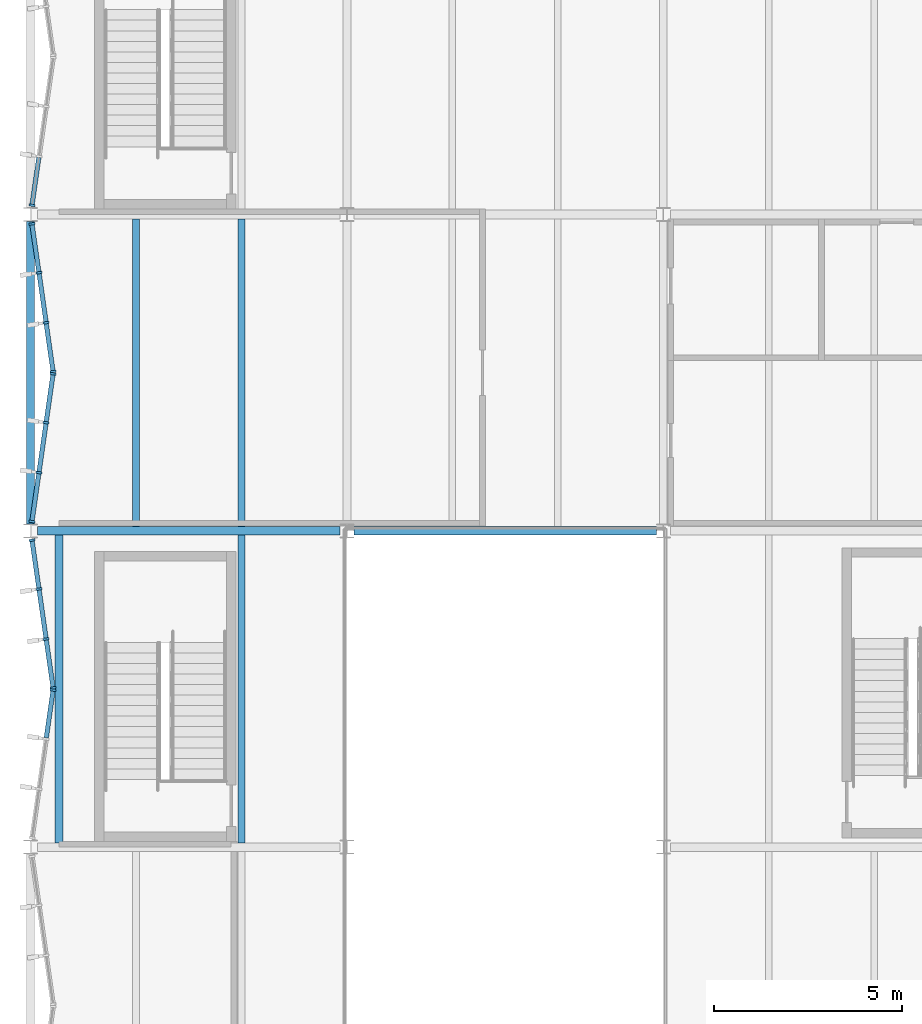
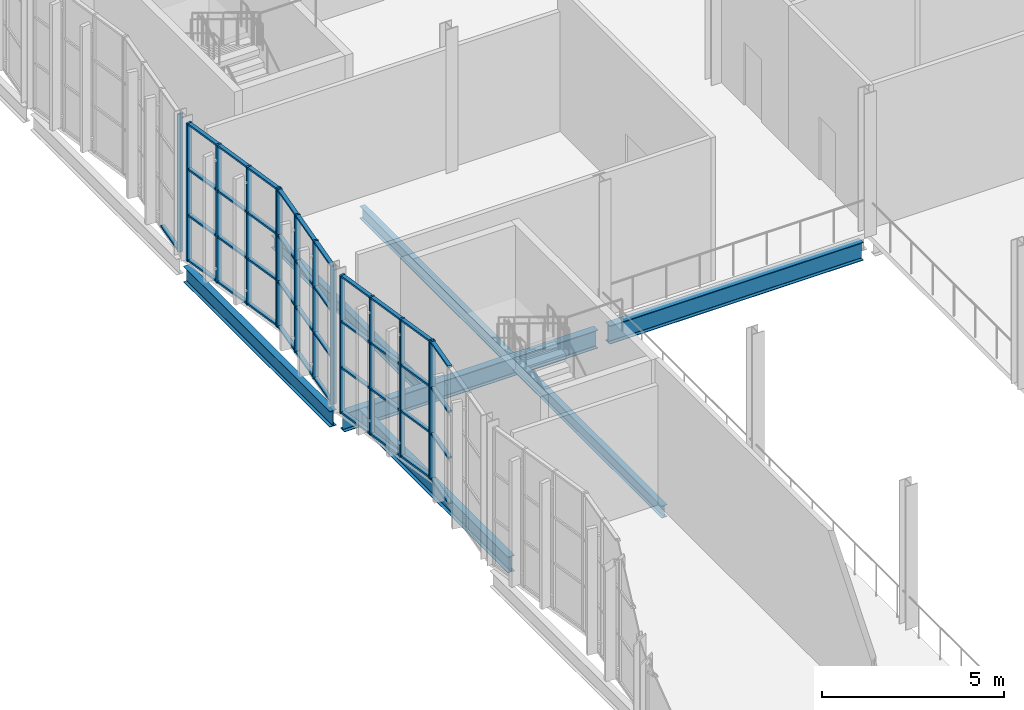
# One storey, part 35 of 127: 55 members, 7 beams, 5 elements without a shape of their own.
"""IFC4 building model written with IfcOpenShell, lengths in metres."""

import ifcopenshell
import ifcopenshell.guid

model = None  # the IFC model being written
_history = None  # IfcOwnerHistory: only IFC2X3 demands one
_inside = {}  # id of a spatial element -> (the spatial element, [elements in it])
_under = {}  # id of a project, library or spatial element -> (it, [spatial elements below it])
_declared = {}  # id of a project -> (the project, [libraries it declares])
_typed = {}  # id of a type object -> (the type object, [elements of that type])
_made_of = {}  # id of a material, layer set ... -> (it, [elements and type objects made of it])


def new_model(schema):
    """Start an empty IFC model of exactly this schema.

    Asked for "IFC4X3", IfcOpenShell would pick the latest addendum, in which some entities
    have other attributes; the version numbers below select the first issue.
    IFC2X3 requires an IfcOwnerHistory on every rooted entity: one is made here for all.
    """
    global model, _history
    if schema == "IFC4X3":
        model = ifcopenshell.file(schema_version=(4, 3, 0, 0))
    else:
        model = ifcopenshell.file(schema=schema)
    _inside.clear()
    _under.clear()
    _declared.clear()
    _typed.clear()
    _made_of.clear()
    _history = None
    if model.schema == "IFC2X3":
        org = make("IfcOrganization", Name="unknown")
        user = make(
            "IfcPersonAndOrganization",
            ThePerson=make("IfcPerson", FamilyName="unknown"),
            TheOrganization=org,
        )
        app = make(
            "IfcApplication",
            ApplicationDeveloper=org,
            Version="unknown",
            ApplicationFullName="unknown",
            ApplicationIdentifier="unknown",
        )
        _history = make(
            "IfcOwnerHistory",
            OwningUser=user,
            OwningApplication=app,
            ChangeAction="ADDED",
            CreationDate=0,
        )
    return model


def make(cls, **values):
    """One entity of the class cls with the attributes given. An attribute that is None is left unset."""
    return model.create_entity(
        cls, **{name: value for name, value in values.items() if value is not None}
    )


def rooted(cls, **values):
    """An entity with a GlobalId (a new one), such as an element, a storey or a relation."""
    return make(cls, GlobalId=ifcopenshell.guid.new(), OwnerHistory=_history, **values)


def si_unit(unit_type, name, prefix=None):
    """IfcSIUnit, for example si_unit("LENGTHUNIT", "METRE", prefix="MILLI")."""
    return make("IfcSIUnit", UnitType=unit_type, Prefix=prefix, Name=name)


def assignment(units):
    """IfcUnitAssignment: the units of a project."""
    return None if units is None else make("IfcUnitAssignment", Units=units)


def point(xyz):
    """IfcCartesianPoint."""
    return None if xyz is None else make("IfcCartesianPoint", Coordinates=xyz)


def direction(xyz):
    """IfcDirection."""
    return None if xyz is None else make("IfcDirection", DirectionRatios=xyz)


def frame(location, z_axis=None, x_axis=None):
    """IfcAxis2Placement3D, a coordinate frame: its origin and axes. An axis left out is left unset."""
    return make(
        "IfcAxis2Placement3D",
        Location=point(location),
        Axis=direction(z_axis),
        RefDirection=direction(x_axis),
    )


def frame_2d(location, x_axis=None):
    """IfcAxis2Placement2D, a coordinate frame in the plane: its origin and x axis."""
    return make(
        "IfcAxis2Placement2D", Location=point(location), RefDirection=direction(x_axis)
    )


def origin():
    """The frame at (0, 0, 0) with its axes left unset."""
    return frame((0.0, 0.0, 0.0))


def origin_2d():
    """The frame at (0, 0) in the plane with its x axis left unset."""
    return frame_2d((0.0, 0.0))


def place(relative_to, where):
    """IfcLocalPlacement: puts the frame where relative to a parent placement (None: the world)."""
    return make(
        "IfcLocalPlacement", PlacementRelTo=relative_to, RelativePlacement=where
    )


def context(
    kind, dimensions, precision=None, world=None, true_north=None, identifier=None
):
    """IfcGeometricRepresentationContext, for example the 3D "Model" context."""
    return make(
        "IfcGeometricRepresentationContext",
        ContextIdentifier=identifier,
        ContextType=kind,
        CoordinateSpaceDimension=dimensions,
        Precision=precision,
        WorldCoordinateSystem=world,
        TrueNorth=true_north,
    )


def subcontext(parent, identifier, kind, view, scale=None):
    """IfcGeometricRepresentationSubContext, for example "Body" below "Model"."""
    return make(
        "IfcGeometricRepresentationSubContext",
        ContextIdentifier=identifier,
        ContextType=kind,
        ParentContext=parent,
        TargetScale=scale,
        TargetView=view,
    )


def project(units=None, contexts=None):
    """IfcProject with its units and contexts."""
    return rooted(
        "IfcProject",
        Name="project",
        RepresentationContexts=contexts,
        UnitsInContext=assignment(units),
    )


def spatial(cls, under=None, at=None, **own):
    """A site, building, storey or space (cls), placed at a placement, below another one or the project."""
    s = rooted(cls, ObjectPlacement=at, **own)
    if under is not None:
        _under.setdefault(under.id(), (under, []))[1].append(s)
    return s


def profile(cls, at=None, kind="AREA", **sizes):
    """A parametric profile (cls). Its sizes go by their IFC names, for example OverallWidth=200.0."""
    return make(cls, ProfileType=kind, Position=at, **sizes)


def rectangle(**sizes):
    """IfcRectangleProfileDef."""
    return profile("IfcRectangleProfileDef", **sizes)


def i_section(**sizes):
    """IfcIShapeProfileDef."""
    return profile("IfcIShapeProfileDef", **sizes)


def extrude(swept, where, along, depth):
    """IfcExtrudedAreaSolid: the profile swept, set in the frame where, extruded along a direction by depth."""
    return make(
        "IfcExtrudedAreaSolid",
        SweptArea=swept,
        Position=where,
        ExtrudedDirection=direction(along),
        Depth=depth,
    )


def shape(context_of_items, identifier, shape_type, items):
    """IfcShapeRepresentation: the items that make up one representation, for example the "Body"."""
    return make(
        "IfcShapeRepresentation",
        ContextOfItems=context_of_items,
        RepresentationIdentifier=identifier,
        RepresentationType=shape_type,
        Items=items,
    )


def material(Name=None, Category=None):
    """IfcMaterial."""
    return make("IfcMaterial", Name=Name, Category=Category)


def material_profile(
    of_material, cross_section, Name=None, Category=None, Priority=None
):
    """IfcMaterialProfile: a cross section and its material."""
    return make(
        "IfcMaterialProfile",
        Name=Name,
        Material=of_material,
        Profile=cross_section,
        Priority=Priority,
        Category=Category,
    )


def profile_set(profiles, Name=None, composite=None):
    """IfcMaterialProfileSet."""
    return make(
        "IfcMaterialProfileSet",
        Name=Name,
        MaterialProfiles=profiles,
        CompositeProfile=composite,
    )


def made_of(thing, what):
    """Note that an element or type object is made of a material, layer set ...; save() writes the relation."""
    if what is not None:
        _made_of.setdefault(what.id(), (what, []))[1].append(thing)
    return thing


def type_object(cls, material=None, **own):
    """A type object (cls), such as IfcWallType, which elements share."""
    return made_of(rooted(cls, **own), material)


def element(
    cls,
    number,
    at=None,
    inside=None,
    cuts=None,
    type_object=None,
    material=None,
    context=None,
    identifier="Body",
    shape_type=None,
    held_by="IfcProductDefinitionShape",
    body=None,
    shapes=None,
    **own,
):
    """One element of the class cls, such as IfcWall. Its Tag is "e" and its number.

    at: its placement. inside: the storey or other place that contains it. cuts: it is an
    opening in that element (IfcRelVoidsElement). A single representation is given by context,
    identifier, shape_type and body (its items); several are given by shapes. held_by: the class
    of the entity that holds the representations. save() writes the other relations.
    """
    e = rooted(cls, Tag="e%d" % number, ObjectPlacement=at, **own)
    if body is not None:
        shapes = [shape(context, identifier, shape_type, body)]
    if shapes is not None:
        e.Representation = make(held_by, Representations=shapes)
    if inside is not None:
        _inside.setdefault(inside.id(), (inside, []))[1].append(e)
    if cuts is not None:
        rooted(
            "IfcRelVoidsElement", RelatingBuildingElement=cuts, RelatedOpeningElement=e
        )
    if type_object is not None:
        _typed.setdefault(type_object.id(), (type_object, []))[1].append(e)
    return made_of(e, material)


def aggregate(whole, parts):
    """IfcRelAggregates: a whole, such as a stair, and the parts it consists of."""
    return rooted("IfcRelAggregates", RelatingObject=whole, RelatedObjects=parts)


def save(model, path):
    """Write the relations noted so far, then the file.

    IfcRelAggregates (storeys below a building ...), IfcRelContainedInSpatialStructure (elements
    in a storey), IfcRelDefinesByType, IfcRelAssociatesMaterial and IfcRelDeclares: one each for
    every whole, place, type object, material and project.
    """
    for whole, parts in _under.values():
        aggregate(whole, parts)
    for where, things in _inside.values():
        rooted(
            "IfcRelContainedInSpatialStructure",
            RelatedElements=things,
            RelatingStructure=where,
        )
    for kind, things in _typed.values():
        rooted("IfcRelDefinesByType", RelatedObjects=things, RelatingType=kind)
    for what, things in _made_of.values():
        rooted("IfcRelAssociatesMaterial", RelatedObjects=things, RelatingMaterial=what)
    for by, libraries in _declared.values():
        rooted("IfcRelDeclares", RelatingContext=by, RelatedDefinitions=libraries)
    model.write(path)


model = new_model("IFC4")

# Units and contexts
model_context = context("Model", 3, precision=1e-05, world=origin(), true_north=direction((0.0, 1.0)))
body_context = subcontext(model_context, "Body", "Model", "MODEL_VIEW")
ifc_project = project(units=[si_unit("LENGTHUNIT", "METRE"), si_unit("AREAUNIT", "SQUARE_METRE"), si_unit("VOLUMEUNIT", "CUBIC_METRE"), si_unit("PLANEANGLEUNIT", "RADIAN"), si_unit("MASSUNIT", "GRAM", prefix="KILO")], contexts=[model_context])

# Site, building, storey
site_placement = place(None, origin())
site = spatial("IfcSite", under=ifc_project, at=site_placement, CompositionType="ELEMENT")
building_placement = place(site_placement, origin())
building = spatial("IfcBuilding", under=site, at=building_placement, Name="Ljudholm Concert House", CompositionType="ELEMENT")
storey_placement = place(building_placement, frame((0.0, 0.0, 5.39990234375)))
storey = spatial("IfcBuildingStorey", under=building, at=storey_placement, Name="L01", CompositionType="ELEMENT", Elevation=5.39990234375)

# Curtain wall, member
ifc_material_1 = material(Name="Aluminium curtain wall with impact-rated laminated glass", Category="aluminium")
curtain_wall_type = type_object("IfcCurtainWallType", Name="CURTAIN WALL 1400", PredefinedType="NOTDEFINED", material=ifc_material_1)
curtain_wall_1_placement = place(storey_placement, origin())
curtain_wall_1 = element("IfcCurtainWall", 1, at=curtain_wall_1_placement, inside=storey, type_object=curtain_wall_type, Name="Facade curtain wall", PredefinedType="NOTDEFINED")
ifc_material_2 = material(Name="Aluminium extrusion", Category="aluminium")
ifc_material_profile_1 = material_profile(ifc_material_2, rectangle(XDim=0.159912109375, YDim=0.06005859375, at=origin_2d()), Name="MULLION 60x160")
ifc_profile_set_1 = profile_set([ifc_material_profile_1], Name="Aluminium extrusion")
member_type_1 = type_object("IfcMemberType", Name="MULLION 60x160", PredefinedType="MULLION", material=ifc_profile_set_1)
member_1_placement = place(storey_placement, frame((4.595703125, 100.5703125, 0.0), z_axis=(0.0, 0.0, 1.0), x_axis=(-0.989949493647, 0.141421356338, 0.0)))
member_1 = element("IfcMember", 2, at=member_1_placement, type_object=member_type_1, Name="Mullion", PredefinedType="MULLION", context=body_context, shape_type="SweptSolid", body=[
    extrude(rectangle(XDim=0.159912109375, YDim=0.06005859375, at=origin_2d()), origin(), (0.0, 0.0, 1.0), 4.6201171875),
])

# Curtain wall, members
curtain_wall_2_placement = place(storey_placement, origin())
curtain_wall_2 = element("IfcCurtainWall", 3, at=curtain_wall_2_placement, inside=storey, type_object=curtain_wall_type, Name="Facade curtain wall", PredefinedType="NOTDEFINED")
member_2_placement = place(storey_placement, frame((4.595703125, 100.629638671875, 0.0), z_axis=(0.0, 0.0, 1.0), x_axis=(-0.989949493647, -0.141421356338, 0.0)))
member_2 = element("IfcMember", 4, at=member_2_placement, type_object=member_type_1, Name="Mullion", PredefinedType="MULLION", context=body_context, shape_type="SweptSolid", body=[
    extrude(rectangle(XDim=0.159912109375, YDim=0.06005859375, at=origin_2d()), origin(), (0.0, 0.0, 1.0), 4.6201171875),
])
member_3_placement = place(storey_placement, frame((4.410400390625, 101.927490234375, 0.0), z_axis=(0.0, 0.0, 1.0), x_axis=(-0.989949493647, -0.141421356338, 0.0)))
member_3 = element("IfcMember", 5, at=member_3_placement, type_object=member_type_1, Name="Mullion", PredefinedType="MULLION", context=body_context, shape_type="SweptSolid", body=[
    extrude(rectangle(XDim=0.159912109375, YDim=0.06005859375, at=origin_2d()), origin(), (0.0, 0.0, 1.0), 4.6201171875),
])
member_4_placement = place(storey_placement, frame((4.220703125, 103.2548828125, 0.0), z_axis=(0.0, 0.0, 1.0), x_axis=(-0.989949493647, -0.141421356338, 0.0)))
member_4 = element("IfcMember", 6, at=member_4_placement, type_object=member_type_1, Name="Mullion", PredefinedType="MULLION", context=body_context, shape_type="SweptSolid", body=[
    extrude(rectangle(XDim=0.159912109375, YDim=0.06005859375, at=origin_2d()), origin(), (0.0, 0.0, 1.0), 4.6201171875),
])
member_5_placement = place(storey_placement, frame((4.035400390625, 104.552490234375, 0.0), z_axis=(0.0, 0.0, 1.0), x_axis=(-0.989949493647, -0.141421356338, 0.0)))
member_5 = element("IfcMember", 7, at=member_5_placement, type_object=member_type_1, Name="Mullion", PredefinedType="MULLION", context=body_context, shape_type="SweptSolid", body=[
    extrude(rectangle(XDim=0.159912109375, YDim=0.06005859375, at=origin_2d()), origin(), (0.0, 0.0, 1.0), 4.6201171875),
])

curtain_wall_3_placement = place(storey_placement, origin())
curtain_wall_3 = element("IfcCurtainWall", 8, at=curtain_wall_3_placement, inside=storey, type_object=curtain_wall_type, Name="Facade curtain wall", PredefinedType="NOTDEFINED")
member_6_placement = place(storey_placement, frame((4.035400390625, 105.047607421875, 0.0), z_axis=(0.0, 0.0, 1.0), x_axis=(-0.989949493647, 0.141421356338, 0.0)))
member_6 = element("IfcMember", 9, at=member_6_placement, type_object=member_type_1, Name="Mullion", PredefinedType="MULLION", context=body_context, shape_type="SweptSolid", body=[
    extrude(rectangle(XDim=0.159912109375, YDim=0.06005859375, at=origin_2d()), origin(), (0.0, 0.0, 1.0), 4.6201171875),
])
member_7_placement = place(storey_placement, frame((4.220703125, 106.34521484375, 0.0), z_axis=(0.0, 0.0, 1.0), x_axis=(-0.989949493647, 0.141421356338, 0.0)))
member_7 = element("IfcMember", 10, at=member_7_placement, type_object=member_type_1, Name="Mullion", PredefinedType="MULLION", context=body_context, shape_type="SweptSolid", body=[
    extrude(rectangle(XDim=0.159912109375, YDim=0.06005859375, at=origin_2d()), origin(), (0.0, 0.0, 1.0), 4.6201171875),
])
member_8_placement = place(storey_placement, frame((4.410400390625, 107.672607421875, 0.0), z_axis=(0.0, 0.0, 1.0), x_axis=(-0.989949493647, 0.141421356338, 0.0)))
member_8 = element("IfcMember", 11, at=member_8_placement, type_object=member_type_1, Name="Mullion", PredefinedType="MULLION", context=body_context, shape_type="SweptSolid", body=[
    extrude(rectangle(XDim=0.159912109375, YDim=0.06005859375, at=origin_2d()), origin(), (0.0, 0.0, 1.0), 4.6201171875),
])
member_9_placement = place(storey_placement, frame((4.595703125, 108.97021484375, 0.0), z_axis=(0.0, 0.0, 1.0), x_axis=(-0.989949493647, 0.141421356338, 0.0)))
member_9 = element("IfcMember", 12, at=member_9_placement, type_object=member_type_1, Name="Mullion", PredefinedType="MULLION", context=body_context, shape_type="SweptSolid", body=[
    extrude(rectangle(XDim=0.159912109375, YDim=0.06005859375, at=origin_2d()), origin(), (0.0, 0.0, 1.0), 4.6201171875),
])

curtain_wall_4_placement = place(storey_placement, origin())
curtain_wall_4 = element("IfcCurtainWall", 13, at=curtain_wall_4_placement, inside=storey, type_object=curtain_wall_type, Name="Facade curtain wall", PredefinedType="NOTDEFINED")
member_10_placement = place(storey_placement, frame((4.595703125, 109.02978515625, 0.0), z_axis=(0.0, 0.0, 1.0), x_axis=(-0.989949493647, -0.141421356338, 0.0)))
member_10 = element("IfcMember", 14, at=member_10_placement, type_object=member_type_1, Name="Mullion", PredefinedType="MULLION", context=body_context, shape_type="SweptSolid", body=[
    extrude(rectangle(XDim=0.159912109375, YDim=0.06005859375, at=origin_2d()), origin(), (0.0, 0.0, 1.0), 4.6201171875),
])
member_11_placement = place(storey_placement, frame((4.410400390625, 110.327392578125, 0.0), z_axis=(0.0, 0.0, 1.0), x_axis=(-0.989949493647, -0.141421356338, 0.0)))
member_11 = element("IfcMember", 15, at=member_11_placement, type_object=member_type_1, Name="Mullion", PredefinedType="MULLION", context=body_context, shape_type="SweptSolid", body=[
    extrude(rectangle(XDim=0.159912109375, YDim=0.06005859375, at=origin_2d()), origin(), (0.0, 0.0, 1.0), 4.6201171875),
])
member_12_placement = place(storey_placement, frame((4.220703125, 111.65478515625, 0.0), z_axis=(0.0, 0.0, 1.0), x_axis=(-0.989949493647, -0.141421356338, 0.0)))
member_12 = element("IfcMember", 16, at=member_12_placement, type_object=member_type_1, Name="Mullion", PredefinedType="MULLION", context=body_context, shape_type="SweptSolid", body=[
    extrude(rectangle(XDim=0.159912109375, YDim=0.06005859375, at=origin_2d()), origin(), (0.0, 0.0, 1.0), 4.6201171875),
])
member_13_placement = place(storey_placement, frame((4.035400390625, 112.952392578125, 0.0), z_axis=(0.0, 0.0, 1.0), x_axis=(-0.989949493647, -0.141421356338, 0.0)))
member_13 = element("IfcMember", 17, at=member_13_placement, type_object=member_type_1, Name="Mullion", PredefinedType="MULLION", context=body_context, shape_type="SweptSolid", body=[
    extrude(rectangle(XDim=0.159912109375, YDim=0.06005859375, at=origin_2d()), origin(), (0.0, 0.0, 1.0), 4.6201171875),
])

# Curtain wall, member
curtain_wall_5_placement = place(storey_placement, origin())
curtain_wall_5 = element("IfcCurtainWall", 18, at=curtain_wall_5_placement, inside=storey, type_object=curtain_wall_type, Name="Facade curtain wall", PredefinedType="NOTDEFINED")
member_14_placement = place(storey_placement, frame((4.035400390625, 113.447509765625, 0.0), z_axis=(0.0, 0.0, 1.0), x_axis=(-0.989949493647, 0.141421356338, 0.0)))
member_14 = element("IfcMember", 19, at=member_14_placement, type_object=member_type_1, Name="Mullion", PredefinedType="MULLION", context=body_context, shape_type="SweptSolid", body=[
    extrude(rectangle(XDim=0.159912109375, YDim=0.06005859375, at=origin_2d()), origin(), (0.0, 0.0, 1.0), 4.6201171875),
])

# Beams
ifc_material_3 = material(Name="Steel ASTM A992", Category="steel")
ifc_material_profile_2 = material_profile(ifc_material_3, i_section(OverallWidth=0.177734375, OverallDepth=0.406494140625, WebThickness=0.0078125, FlangeThickness=0.012939453125, FilletRadius=0.01025390625, at=origin_2d()), Name="W16X40")
ifc_profile_set_2 = profile_set([ifc_material_profile_2], Name="Steel ASTM A992")
beam_type_1 = type_object("IfcBeamType", Name="STEEL BEAM W16X40", PredefinedType="BEAM", material=ifc_profile_set_2)
for number, where, z_axis, x_axis, name in (
    (20, (6.800048828125, 104.91455078125, -0.383056640625), (0.0, 1.0, 0.0), (-1.0, 0.0, 0.0), "Secondary beam"),
    (21, (9.60009765625, 96.5146484375, -0.383056640625), (0.0, 1.0, 0.0), (-1.0, 0.0, 0.0), "Secondary beam"),
    (22, (9.60009765625, 104.91455078125, -0.383056640625), (0.0, 1.0, 0.0), (-1.0, 0.0, 0.0), "Secondary beam"),
):
    element("IfcBeam", number, at=place(storey_placement, frame(where, z_axis=z_axis, x_axis=x_axis)), inside=storey, type_object=beam_type_1, Name=name, PredefinedType="BEAM", context=body_context, shape_type="SweptSolid", body=[
        extrude(i_section(OverallWidth=0.177734375, OverallDepth=0.406494140625, WebThickness=0.0078125, FlangeThickness=0.012939453125, FilletRadius=0.01025390625, at=origin_2d()), origin(), (0.0, 0.0, 1.0), 8.1708984375),
    ])
ifc_material_4 = material(Name="Steel ASTM A992", Category="steel")
ifc_material_profile_3 = material_profile(ifc_material_4, i_section(OverallWidth=0.209228515625, OverallDepth=0.533447265625, WebThickness=0.01025390625, FlangeThickness=0.015625, FilletRadius=0.012939453125, at=origin_2d()), Name="W21X62")
ifc_profile_set_3 = profile_set([ifc_material_profile_3], Name="Steel ASTM A992")
beam_type_2 = type_object("IfcBeamType", Name="STEEL BEAM W21X62", PredefinedType="BEAM", material=ifc_profile_set_3)
beam_1_placement = place(storey_placement, frame((4.75, 96.5146484375, -0.446533203125), z_axis=(0.0, 1.0, 0.0), x_axis=(-1.0, 0.0, 0.0)))
element("IfcBeam", 23, at=beam_1_placement, inside=storey, type_object=beam_type_2, Name="Floor edge beam", PredefinedType="BEAM", context=body_context, shape_type="SweptSolid", body=[
    extrude(i_section(OverallWidth=0.209228515625, OverallDepth=0.533447265625, WebThickness=0.01025390625, FlangeThickness=0.015625, FilletRadius=0.012939453125, at=origin_2d()), origin(), (0.0, 0.0, 1.0), 8.1708984375),
])
beam_2_placement = place(storey_placement, frame((4.0, 104.986572265625, -0.446533203125), z_axis=(0.0, 1.0, 0.0), x_axis=(-1.0, 0.0, 0.0)))
element("IfcBeam", 24, at=beam_2_placement, inside=storey, type_object=beam_type_2, Name="Floor edge beam", PredefinedType="BEAM", context=body_context, shape_type="SweptSolid", body=[
    extrude(i_section(OverallWidth=0.209228515625, OverallDepth=0.533447265625, WebThickness=0.01025390625, FlangeThickness=0.015625, FilletRadius=0.012939453125, at=origin_2d()), origin(), (0.0, 0.0, 1.0), 8.02685546875),
])
ifc_material_5 = material(Name="Steel ASTM A992", Category="steel")
ifc_material_profile_4 = material_profile(ifc_material_5, i_section(OverallWidth=0.22900390625, OverallDepth=0.612060546875, WebThickness=0.011962890625, FlangeThickness=0.01953125, FilletRadius=0.0126953125, at=origin_2d()), Name="W24X84")
ifc_profile_set_4 = profile_set([ifc_material_profile_4], Name="Steel ASTM A992")
beam_type_3 = type_object("IfcBeamType", Name="STEEL BEAM W24X84", PredefinedType="BEAM", material=ifc_profile_set_4)
for number, where, z_axis, x_axis, name in (
    (25, (4.186767578125, 104.800048828125, -0.486083984375), (1.0, 0.0, 0.0), (0.0, 1.0, 0.0), "Floor girder"),
    (26, (12.586669921875, 104.800048828125, -0.486083984375), (1.0, 0.0, 0.0), (0.0, 1.0, 0.0), "Floor girder"),
):
    element("IfcBeam", number, at=place(storey_placement, frame(where, z_axis=z_axis, x_axis=x_axis)), inside=storey, type_object=beam_type_3, Name=name, PredefinedType="BEAM", context=body_context, shape_type="SweptSolid", body=[
        extrude(i_section(OverallWidth=0.22900390625, OverallDepth=0.612060546875, WebThickness=0.011962890625, FlangeThickness=0.01953125, FilletRadius=0.0126953125, at=origin_2d()), origin(), (0.0, 0.0, 1.0), 8.026611328125),
    ])

# Member
ifc_material_6 = material(Name="Aluminium extrusion", Category="aluminium")
ifc_material_profile_5 = material_profile(ifc_material_6, rectangle(XDim=0.1201171875, YDim=0.06005859375, at=origin_2d()), Name="TRANSOM 60x120")
ifc_profile_set_5 = profile_set([ifc_material_profile_5], Name="Aluminium extrusion")
member_type_2 = type_object("IfcMemberType", Name="TRANSOM 60x120", PredefinedType="USERDEFINED", material=ifc_profile_set_5)
member_15_placement = place(storey_placement, frame((4.41455078125, 99.30224609375, 0.030029296875), z_axis=(0.141503330095, 0.989937779647, 0.0), x_axis=(-0.989937779647, 0.141503330095, 0.0)))
member_15 = element("IfcMember", 27, at=member_15_placement, type_object=member_type_2, Name="Transom", ObjectType="TRANSOM", PredefinedType="USERDEFINED", context=body_context, shape_type="SweptSolid", body=[
    extrude(rectangle(XDim=0.1201171875, YDim=0.06005859375, at=origin_2d()), origin(), (0.0, 0.0, 1.0), 1.2509765625),
])

member_16_placement = place(storey_placement, frame((4.41455078125, 99.30224609375, 1.5400390625), z_axis=(0.141503330095, 0.989937779647, 0.0), x_axis=(-0.989937779647, 0.141503330095, 0.0)))
member_16 = element("IfcMember", 28, at=member_16_placement, type_object=member_type_2, Name="Transom", ObjectType="TRANSOM", PredefinedType="USERDEFINED", context=body_context, shape_type="SweptSolid", body=[
    extrude(rectangle(XDim=0.1201171875, YDim=0.06005859375, at=origin_2d()), origin(), (0.0, 0.0, 1.0), 1.2509765625),
])

member_17_placement = place(storey_placement, frame((4.41455078125, 99.30224609375, 3.080078125), z_axis=(0.141503330095, 0.989937779647, 0.0), x_axis=(-0.989937779647, 0.141503330095, 0.0)))
member_17 = element("IfcMember", 29, at=member_17_placement, type_object=member_type_2, Name="Transom", ObjectType="TRANSOM", PredefinedType="USERDEFINED", context=body_context, shape_type="SweptSolid", body=[
    extrude(rectangle(XDim=0.1201171875, YDim=0.06005859375, at=origin_2d()), origin(), (0.0, 0.0, 1.0), 1.2509765625),
])

member_18_placement = place(storey_placement, frame((4.41455078125, 99.30224609375, 4.590087890625), z_axis=(0.141503330095, 0.989937779647, 0.0), x_axis=(-0.989937779647, 0.141503330095, 0.0)))
member_18 = element("IfcMember", 30, at=member_18_placement, type_object=member_type_2, Name="Transom", ObjectType="TRANSOM", PredefinedType="USERDEFINED", context=body_context, shape_type="SweptSolid", body=[
    extrude(rectangle(XDim=0.1201171875, YDim=0.06005859375, at=origin_2d()), origin(), (0.0, 0.0, 1.0), 1.2509765625),
])

aggregate(curtain_wall_1, [member_1, member_15, member_16, member_17, member_18])

member_19_placement = place(storey_placement, frame((4.591552734375, 100.659423828125, 0.030029296875), z_axis=(-0.141503330095, 0.989937779647, 0.0), x_axis=(-0.989937779647, -0.141503330095, 0.0)))
member_19 = element("IfcMember", 31, at=member_19_placement, type_object=member_type_2, Name="Transom", ObjectType="TRANSOM", PredefinedType="USERDEFINED", context=body_context, shape_type="SweptSolid", body=[
    extrude(rectangle(XDim=0.1201171875, YDim=0.06005859375, at=origin_2d()), origin(), (0.0, 0.0, 1.0), 1.2509765625),
])

member_20_placement = place(storey_placement, frame((4.591552734375, 100.659423828125, 1.5400390625), z_axis=(-0.141503330095, 0.989937779647, 0.0), x_axis=(-0.989937779647, -0.141503330095, 0.0)))
member_20 = element("IfcMember", 32, at=member_20_placement, type_object=member_type_2, Name="Transom", ObjectType="TRANSOM", PredefinedType="USERDEFINED", context=body_context, shape_type="SweptSolid", body=[
    extrude(rectangle(XDim=0.1201171875, YDim=0.06005859375, at=origin_2d()), origin(), (0.0, 0.0, 1.0), 1.2509765625),
])

member_21_placement = place(storey_placement, frame((4.591552734375, 100.659423828125, 3.080078125), z_axis=(-0.141503330095, 0.989937779647, 0.0), x_axis=(-0.989937779647, -0.141503330095, 0.0)))
member_21 = element("IfcMember", 33, at=member_21_placement, type_object=member_type_2, Name="Transom", ObjectType="TRANSOM", PredefinedType="USERDEFINED", context=body_context, shape_type="SweptSolid", body=[
    extrude(rectangle(XDim=0.1201171875, YDim=0.06005859375, at=origin_2d()), origin(), (0.0, 0.0, 1.0), 1.2509765625),
])

member_22_placement = place(storey_placement, frame((4.591552734375, 100.659423828125, 4.590087890625), z_axis=(-0.141503330095, 0.989937779647, 0.0), x_axis=(-0.989937779647, -0.141503330095, 0.0)))
member_22 = element("IfcMember", 34, at=member_22_placement, type_object=member_type_2, Name="Transom", ObjectType="TRANSOM", PredefinedType="USERDEFINED", context=body_context, shape_type="SweptSolid", body=[
    extrude(rectangle(XDim=0.1201171875, YDim=0.06005859375, at=origin_2d()), origin(), (0.0, 0.0, 1.0), 1.2509765625),
])

member_23_placement = place(storey_placement, frame((4.40625, 101.95703125, 0.030029296875), z_axis=(-0.141421356237, 0.989949493661, 0.0), x_axis=(-0.989949493661, -0.141421356237, 0.0)))
member_23 = element("IfcMember", 35, at=member_23_placement, type_object=member_type_2, Name="Transom", ObjectType="TRANSOM", PredefinedType="USERDEFINED", context=body_context, shape_type="SweptSolid", body=[
    extrude(rectangle(XDim=0.1201171875, YDim=0.06005859375, at=origin_2d()), origin(), (0.0, 0.0, 1.0), 1.281005859375),
])

member_24_placement = place(storey_placement, frame((4.40625, 101.95703125, 1.5400390625), z_axis=(-0.141421356237, 0.989949493661, 0.0), x_axis=(-0.989949493661, -0.141421356237, 0.0)))
member_24 = element("IfcMember", 36, at=member_24_placement, type_object=member_type_2, Name="Transom", ObjectType="TRANSOM", PredefinedType="USERDEFINED", context=body_context, shape_type="SweptSolid", body=[
    extrude(rectangle(XDim=0.1201171875, YDim=0.06005859375, at=origin_2d()), origin(), (0.0, 0.0, 1.0), 1.281005859375),
])

member_25_placement = place(storey_placement, frame((4.40625, 101.95703125, 3.080078125), z_axis=(-0.141421356237, 0.989949493661, 0.0), x_axis=(-0.989949493661, -0.141421356237, 0.0)))
member_25 = element("IfcMember", 37, at=member_25_placement, type_object=member_type_2, Name="Transom", ObjectType="TRANSOM", PredefinedType="USERDEFINED", context=body_context, shape_type="SweptSolid", body=[
    extrude(rectangle(XDim=0.1201171875, YDim=0.06005859375, at=origin_2d()), origin(), (0.0, 0.0, 1.0), 1.281005859375),
])

member_26_placement = place(storey_placement, frame((4.40625, 101.95703125, 4.590087890625), z_axis=(-0.141421356237, 0.989949493661, 0.0), x_axis=(-0.989949493661, -0.141421356237, 0.0)))
member_26 = element("IfcMember", 38, at=member_26_placement, type_object=member_type_2, Name="Transom", ObjectType="TRANSOM", PredefinedType="USERDEFINED", context=body_context, shape_type="SweptSolid", body=[
    extrude(rectangle(XDim=0.1201171875, YDim=0.06005859375, at=origin_2d()), origin(), (0.0, 0.0, 1.0), 1.281005859375),
])

member_27_placement = place(storey_placement, frame((4.216552734375, 103.284423828125, 0.030029296875), z_axis=(-0.141503330095, 0.989937779647, 0.0), x_axis=(-0.989937779647, -0.141503330095, 0.0)))
member_27 = element("IfcMember", 39, at=member_27_placement, type_object=member_type_2, Name="Transom", ObjectType="TRANSOM", PredefinedType="USERDEFINED", context=body_context, shape_type="SweptSolid", body=[
    extrude(rectangle(XDim=0.1201171875, YDim=0.06005859375, at=origin_2d()), origin(), (0.0, 0.0, 1.0), 1.2509765625),
])

member_28_placement = place(storey_placement, frame((4.216552734375, 103.284423828125, 1.5400390625), z_axis=(-0.141503330095, 0.989937779647, 0.0), x_axis=(-0.989937779647, -0.141503330095, 0.0)))
member_28 = element("IfcMember", 40, at=member_28_placement, type_object=member_type_2, Name="Transom", ObjectType="TRANSOM", PredefinedType="USERDEFINED", context=body_context, shape_type="SweptSolid", body=[
    extrude(rectangle(XDim=0.1201171875, YDim=0.06005859375, at=origin_2d()), origin(), (0.0, 0.0, 1.0), 1.2509765625),
])

member_29_placement = place(storey_placement, frame((4.216552734375, 103.284423828125, 3.080078125), z_axis=(-0.141503330095, 0.989937779647, 0.0), x_axis=(-0.989937779647, -0.141503330095, 0.0)))
member_29 = element("IfcMember", 41, at=member_29_placement, type_object=member_type_2, Name="Transom", ObjectType="TRANSOM", PredefinedType="USERDEFINED", context=body_context, shape_type="SweptSolid", body=[
    extrude(rectangle(XDim=0.1201171875, YDim=0.06005859375, at=origin_2d()), origin(), (0.0, 0.0, 1.0), 1.2509765625),
])

member_30_placement = place(storey_placement, frame((4.216552734375, 103.284423828125, 4.590087890625), z_axis=(-0.141503330095, 0.989937779647, 0.0), x_axis=(-0.989937779647, -0.141503330095, 0.0)))
member_30 = element("IfcMember", 42, at=member_30_placement, type_object=member_type_2, Name="Transom", ObjectType="TRANSOM", PredefinedType="USERDEFINED", context=body_context, shape_type="SweptSolid", body=[
    extrude(rectangle(XDim=0.1201171875, YDim=0.06005859375, at=origin_2d()), origin(), (0.0, 0.0, 1.0), 1.2509765625),
])

aggregate(curtain_wall_2, [member_2, member_3, member_4, member_5, member_19, member_20, member_21, member_22, member_23, member_24, member_25, member_26, member_27, member_28, member_29, member_30])

member_31_placement = place(storey_placement, frame((4.03955078125, 105.0771484375, 0.030029296875), z_axis=(0.141503330095, 0.989937779647, 0.0), x_axis=(-0.989937779647, 0.141503330095, 0.0)))
member_31 = element("IfcMember", 43, at=member_31_placement, type_object=member_type_2, Name="Transom", ObjectType="TRANSOM", PredefinedType="USERDEFINED", context=body_context, shape_type="SweptSolid", body=[
    extrude(rectangle(XDim=0.1201171875, YDim=0.06005859375, at=origin_2d()), origin(), (0.0, 0.0, 1.0), 1.2509765625),
])

member_32_placement = place(storey_placement, frame((4.03955078125, 105.0771484375, 1.5400390625), z_axis=(0.141503330095, 0.989937779647, 0.0), x_axis=(-0.989937779647, 0.141503330095, 0.0)))
member_32 = element("IfcMember", 44, at=member_32_placement, type_object=member_type_2, Name="Transom", ObjectType="TRANSOM", PredefinedType="USERDEFINED", context=body_context, shape_type="SweptSolid", body=[
    extrude(rectangle(XDim=0.1201171875, YDim=0.06005859375, at=origin_2d()), origin(), (0.0, 0.0, 1.0), 1.2509765625),
])

member_33_placement = place(storey_placement, frame((4.03955078125, 105.0771484375, 3.080078125), z_axis=(0.141503330095, 0.989937779647, 0.0), x_axis=(-0.989937779647, 0.141503330095, 0.0)))
member_33 = element("IfcMember", 45, at=member_33_placement, type_object=member_type_2, Name="Transom", ObjectType="TRANSOM", PredefinedType="USERDEFINED", context=body_context, shape_type="SweptSolid", body=[
    extrude(rectangle(XDim=0.1201171875, YDim=0.06005859375, at=origin_2d()), origin(), (0.0, 0.0, 1.0), 1.2509765625),
])

member_34_placement = place(storey_placement, frame((4.03955078125, 105.0771484375, 4.590087890625), z_axis=(0.141503330095, 0.989937779647, 0.0), x_axis=(-0.989937779647, 0.141503330095, 0.0)))
member_34 = element("IfcMember", 46, at=member_34_placement, type_object=member_type_2, Name="Transom", ObjectType="TRANSOM", PredefinedType="USERDEFINED", context=body_context, shape_type="SweptSolid", body=[
    extrude(rectangle(XDim=0.1201171875, YDim=0.06005859375, at=origin_2d()), origin(), (0.0, 0.0, 1.0), 1.2509765625),
])

member_35_placement = place(storey_placement, frame((4.22509765625, 106.375, 0.030029296875), z_axis=(0.141448044496, 0.989945680686, 0.0), x_axis=(-0.989945680686, 0.141448044496, 0.0)))
member_35 = element("IfcMember", 47, at=member_35_placement, type_object=member_type_2, Name="Transom", ObjectType="TRANSOM", PredefinedType="USERDEFINED", context=body_context, shape_type="SweptSolid", body=[
    extrude(rectangle(XDim=0.1201171875, YDim=0.06005859375, at=origin_2d()), origin(), (0.0, 0.0, 1.0), 1.28076171875),
])

member_36_placement = place(storey_placement, frame((4.22509765625, 106.375, 1.5400390625), z_axis=(0.141448044496, 0.989945680686, 0.0), x_axis=(-0.989945680686, 0.141448044496, 0.0)))
member_36 = element("IfcMember", 48, at=member_36_placement, type_object=member_type_2, Name="Transom", ObjectType="TRANSOM", PredefinedType="USERDEFINED", context=body_context, shape_type="SweptSolid", body=[
    extrude(rectangle(XDim=0.1201171875, YDim=0.06005859375, at=origin_2d()), origin(), (0.0, 0.0, 1.0), 1.28076171875),
])

member_37_placement = place(storey_placement, frame((4.22509765625, 106.375, 3.080078125), z_axis=(0.141448044496, 0.989945680686, 0.0), x_axis=(-0.989945680686, 0.141448044496, 0.0)))
member_37 = element("IfcMember", 49, at=member_37_placement, type_object=member_type_2, Name="Transom", ObjectType="TRANSOM", PredefinedType="USERDEFINED", context=body_context, shape_type="SweptSolid", body=[
    extrude(rectangle(XDim=0.1201171875, YDim=0.06005859375, at=origin_2d()), origin(), (0.0, 0.0, 1.0), 1.28076171875),
])

member_38_placement = place(storey_placement, frame((4.22509765625, 106.375, 4.590087890625), z_axis=(0.141448044496, 0.989945680686, 0.0), x_axis=(-0.989945680686, 0.141448044496, 0.0)))
member_38 = element("IfcMember", 50, at=member_38_placement, type_object=member_type_2, Name="Transom", ObjectType="TRANSOM", PredefinedType="USERDEFINED", context=body_context, shape_type="SweptSolid", body=[
    extrude(rectangle(XDim=0.1201171875, YDim=0.06005859375, at=origin_2d()), origin(), (0.0, 0.0, 1.0), 1.28076171875),
])

member_39_placement = place(storey_placement, frame((4.41455078125, 107.702392578125, 0.030029296875), z_axis=(0.141503330095, 0.989937779647, 0.0), x_axis=(-0.989937779647, 0.141503330095, 0.0)))
member_39 = element("IfcMember", 51, at=member_39_placement, type_object=member_type_2, Name="Transom", ObjectType="TRANSOM", PredefinedType="USERDEFINED", context=body_context, shape_type="SweptSolid", body=[
    extrude(rectangle(XDim=0.1201171875, YDim=0.06005859375, at=origin_2d()), origin(), (0.0, 0.0, 1.0), 1.2509765625),
])

member_40_placement = place(storey_placement, frame((4.41455078125, 107.702392578125, 1.5400390625), z_axis=(0.141503330095, 0.989937779647, 0.0), x_axis=(-0.989937779647, 0.141503330095, 0.0)))
member_40 = element("IfcMember", 52, at=member_40_placement, type_object=member_type_2, Name="Transom", ObjectType="TRANSOM", PredefinedType="USERDEFINED", context=body_context, shape_type="SweptSolid", body=[
    extrude(rectangle(XDim=0.1201171875, YDim=0.06005859375, at=origin_2d()), origin(), (0.0, 0.0, 1.0), 1.2509765625),
])

member_41_placement = place(storey_placement, frame((4.41455078125, 107.702392578125, 3.080078125), z_axis=(0.141503330095, 0.989937779647, 0.0), x_axis=(-0.989937779647, 0.141503330095, 0.0)))
member_41 = element("IfcMember", 53, at=member_41_placement, type_object=member_type_2, Name="Transom", ObjectType="TRANSOM", PredefinedType="USERDEFINED", context=body_context, shape_type="SweptSolid", body=[
    extrude(rectangle(XDim=0.1201171875, YDim=0.06005859375, at=origin_2d()), origin(), (0.0, 0.0, 1.0), 1.2509765625),
])

member_42_placement = place(storey_placement, frame((4.41455078125, 107.702392578125, 4.590087890625), z_axis=(0.141503330095, 0.989937779647, 0.0), x_axis=(-0.989937779647, 0.141503330095, 0.0)))
member_42 = element("IfcMember", 54, at=member_42_placement, type_object=member_type_2, Name="Transom", ObjectType="TRANSOM", PredefinedType="USERDEFINED", context=body_context, shape_type="SweptSolid", body=[
    extrude(rectangle(XDim=0.1201171875, YDim=0.06005859375, at=origin_2d()), origin(), (0.0, 0.0, 1.0), 1.2509765625),
])

aggregate(curtain_wall_3, [member_6, member_7, member_8, member_9, member_31, member_32, member_33, member_34, member_35, member_36, member_37, member_38, member_39, member_40, member_41, member_42])

member_43_placement = place(storey_placement, frame((4.591552734375, 109.059326171875, 0.030029296875), z_axis=(-0.141503330095, 0.989937779647, 0.0), x_axis=(-0.989937779647, -0.141503330095, 0.0)))
member_43 = element("IfcMember", 55, at=member_43_placement, type_object=member_type_2, Name="Transom", ObjectType="TRANSOM", PredefinedType="USERDEFINED", context=body_context, shape_type="SweptSolid", body=[
    extrude(rectangle(XDim=0.1201171875, YDim=0.06005859375, at=origin_2d()), origin(), (0.0, 0.0, 1.0), 1.2509765625),
])

member_44_placement = place(storey_placement, frame((4.591552734375, 109.059326171875, 1.5400390625), z_axis=(-0.141503330095, 0.989937779647, 0.0), x_axis=(-0.989937779647, -0.141503330095, 0.0)))
member_44 = element("IfcMember", 56, at=member_44_placement, type_object=member_type_2, Name="Transom", ObjectType="TRANSOM", PredefinedType="USERDEFINED", context=body_context, shape_type="SweptSolid", body=[
    extrude(rectangle(XDim=0.1201171875, YDim=0.06005859375, at=origin_2d()), origin(), (0.0, 0.0, 1.0), 1.2509765625),
])

member_45_placement = place(storey_placement, frame((4.591552734375, 109.059326171875, 3.080078125), z_axis=(-0.141503330095, 0.989937779647, 0.0), x_axis=(-0.989937779647, -0.141503330095, 0.0)))
member_45 = element("IfcMember", 57, at=member_45_placement, type_object=member_type_2, Name="Transom", ObjectType="TRANSOM", PredefinedType="USERDEFINED", context=body_context, shape_type="SweptSolid", body=[
    extrude(rectangle(XDim=0.1201171875, YDim=0.06005859375, at=origin_2d()), origin(), (0.0, 0.0, 1.0), 1.2509765625),
])

member_46_placement = place(storey_placement, frame((4.591552734375, 109.059326171875, 4.590087890625), z_axis=(-0.141503330095, 0.989937779647, 0.0), x_axis=(-0.989937779647, -0.141503330095, 0.0)))
member_46 = element("IfcMember", 58, at=member_46_placement, type_object=member_type_2, Name="Transom", ObjectType="TRANSOM", PredefinedType="USERDEFINED", context=body_context, shape_type="SweptSolid", body=[
    extrude(rectangle(XDim=0.1201171875, YDim=0.06005859375, at=origin_2d()), origin(), (0.0, 0.0, 1.0), 1.2509765625),
])

member_47_placement = place(storey_placement, frame((4.40625, 110.357177734375, 0.030029296875), z_axis=(-0.141448044496, 0.989945680686, 0.0), x_axis=(-0.989945680686, -0.141448044496, 0.0)))
member_47 = element("IfcMember", 59, at=member_47_placement, type_object=member_type_2, Name="Transom", ObjectType="TRANSOM", PredefinedType="USERDEFINED", context=body_context, shape_type="SweptSolid", body=[
    extrude(rectangle(XDim=0.1201171875, YDim=0.06005859375, at=origin_2d()), origin(), (0.0, 0.0, 1.0), 1.28076171875),
])

member_48_placement = place(storey_placement, frame((4.40625, 110.357177734375, 1.5400390625), z_axis=(-0.141448044496, 0.989945680686, 0.0), x_axis=(-0.989945680686, -0.141448044496, 0.0)))
member_48 = element("IfcMember", 60, at=member_48_placement, type_object=member_type_2, Name="Transom", ObjectType="TRANSOM", PredefinedType="USERDEFINED", context=body_context, shape_type="SweptSolid", body=[
    extrude(rectangle(XDim=0.1201171875, YDim=0.06005859375, at=origin_2d()), origin(), (0.0, 0.0, 1.0), 1.28076171875),
])

member_49_placement = place(storey_placement, frame((4.40625, 110.357177734375, 3.080078125), z_axis=(-0.141448044496, 0.989945680686, 0.0), x_axis=(-0.989945680686, -0.141448044496, 0.0)))
member_49 = element("IfcMember", 61, at=member_49_placement, type_object=member_type_2, Name="Transom", ObjectType="TRANSOM", PredefinedType="USERDEFINED", context=body_context, shape_type="SweptSolid", body=[
    extrude(rectangle(XDim=0.1201171875, YDim=0.06005859375, at=origin_2d()), origin(), (0.0, 0.0, 1.0), 1.28076171875),
])

member_50_placement = place(storey_placement, frame((4.40625, 110.357177734375, 4.590087890625), z_axis=(-0.141448044496, 0.989945680686, 0.0), x_axis=(-0.989945680686, -0.141448044496, 0.0)))
member_50 = element("IfcMember", 62, at=member_50_placement, type_object=member_type_2, Name="Transom", ObjectType="TRANSOM", PredefinedType="USERDEFINED", context=body_context, shape_type="SweptSolid", body=[
    extrude(rectangle(XDim=0.1201171875, YDim=0.06005859375, at=origin_2d()), origin(), (0.0, 0.0, 1.0), 1.28076171875),
])

member_51_placement = place(storey_placement, frame((4.216552734375, 111.6845703125, 0.030029296875), z_axis=(-0.141503330095, 0.989937779647, 0.0), x_axis=(-0.989937779647, -0.141503330095, 0.0)))
member_51 = element("IfcMember", 63, at=member_51_placement, type_object=member_type_2, Name="Transom", ObjectType="TRANSOM", PredefinedType="USERDEFINED", context=body_context, shape_type="SweptSolid", body=[
    extrude(rectangle(XDim=0.1201171875, YDim=0.06005859375, at=origin_2d()), origin(), (0.0, 0.0, 1.0), 1.2509765625),
])

member_52_placement = place(storey_placement, frame((4.216552734375, 111.6845703125, 1.5400390625), z_axis=(-0.141503330095, 0.989937779647, 0.0), x_axis=(-0.989937779647, -0.141503330095, 0.0)))
member_52 = element("IfcMember", 64, at=member_52_placement, type_object=member_type_2, Name="Transom", ObjectType="TRANSOM", PredefinedType="USERDEFINED", context=body_context, shape_type="SweptSolid", body=[
    extrude(rectangle(XDim=0.1201171875, YDim=0.06005859375, at=origin_2d()), origin(), (0.0, 0.0, 1.0), 1.2509765625),
])

member_53_placement = place(storey_placement, frame((4.216552734375, 111.6845703125, 3.080078125), z_axis=(-0.141503330095, 0.989937779647, 0.0), x_axis=(-0.989937779647, -0.141503330095, 0.0)))
member_53 = element("IfcMember", 65, at=member_53_placement, type_object=member_type_2, Name="Transom", ObjectType="TRANSOM", PredefinedType="USERDEFINED", context=body_context, shape_type="SweptSolid", body=[
    extrude(rectangle(XDim=0.1201171875, YDim=0.06005859375, at=origin_2d()), origin(), (0.0, 0.0, 1.0), 1.2509765625),
])

member_54_placement = place(storey_placement, frame((4.216552734375, 111.6845703125, 4.590087890625), z_axis=(-0.141503330095, 0.989937779647, 0.0), x_axis=(-0.989937779647, -0.141503330095, 0.0)))
member_54 = element("IfcMember", 66, at=member_54_placement, type_object=member_type_2, Name="Transom", ObjectType="TRANSOM", PredefinedType="USERDEFINED", context=body_context, shape_type="SweptSolid", body=[
    extrude(rectangle(XDim=0.1201171875, YDim=0.06005859375, at=origin_2d()), origin(), (0.0, 0.0, 1.0), 1.2509765625),
])

aggregate(curtain_wall_4, [member_10, member_11, member_12, member_13, member_43, member_44, member_45, member_46, member_47, member_48, member_49, member_50, member_51, member_52, member_53, member_54])

member_55_placement = place(storey_placement, frame((4.03955078125, 113.477294921875, 0.030029296875), z_axis=(0.141503330095, 0.989937779647, 0.0), x_axis=(-0.989937779647, 0.141503330095, 0.0)))
member_55 = element("IfcMember", 67, at=member_55_placement, type_object=member_type_2, Name="Transom", ObjectType="TRANSOM", PredefinedType="USERDEFINED", context=body_context, shape_type="SweptSolid", body=[
    extrude(rectangle(XDim=0.1201171875, YDim=0.06005859375, at=origin_2d()), origin(), (0.0, 0.0, 1.0), 1.2509765625),
])

aggregate(curtain_wall_5, [member_14, member_55])

save(model, "model.ifc")
